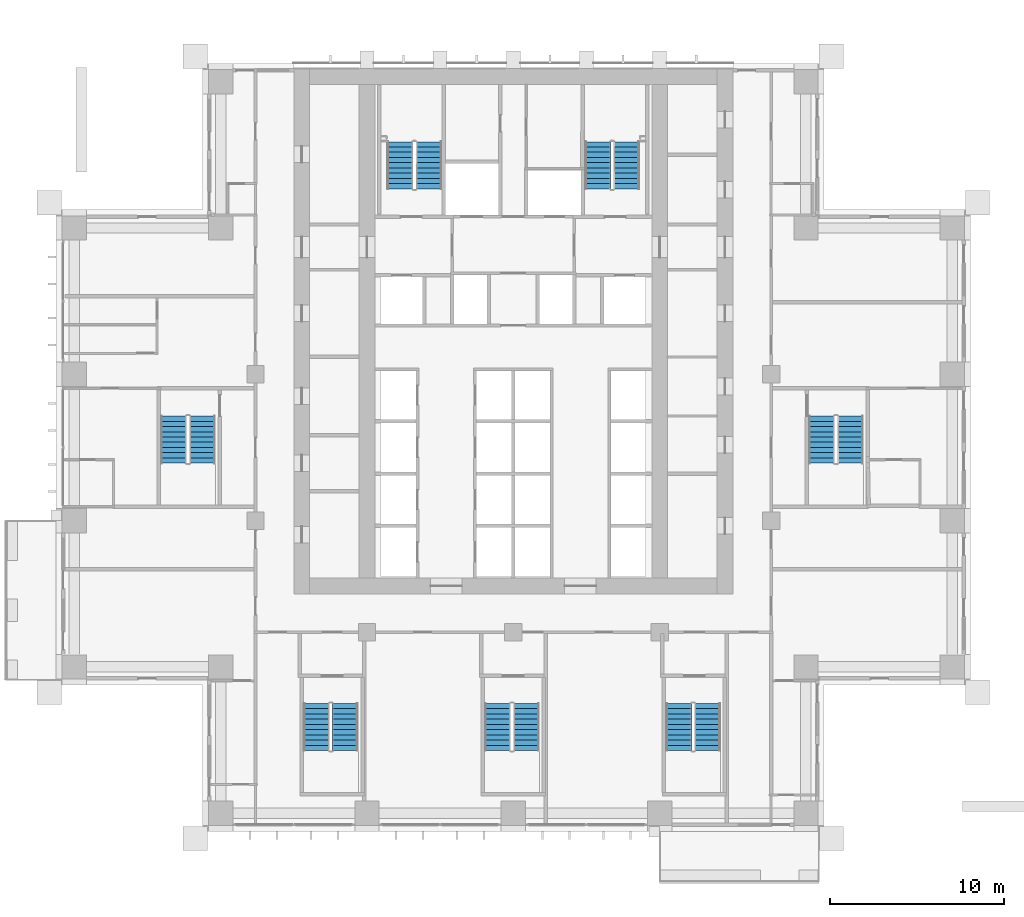
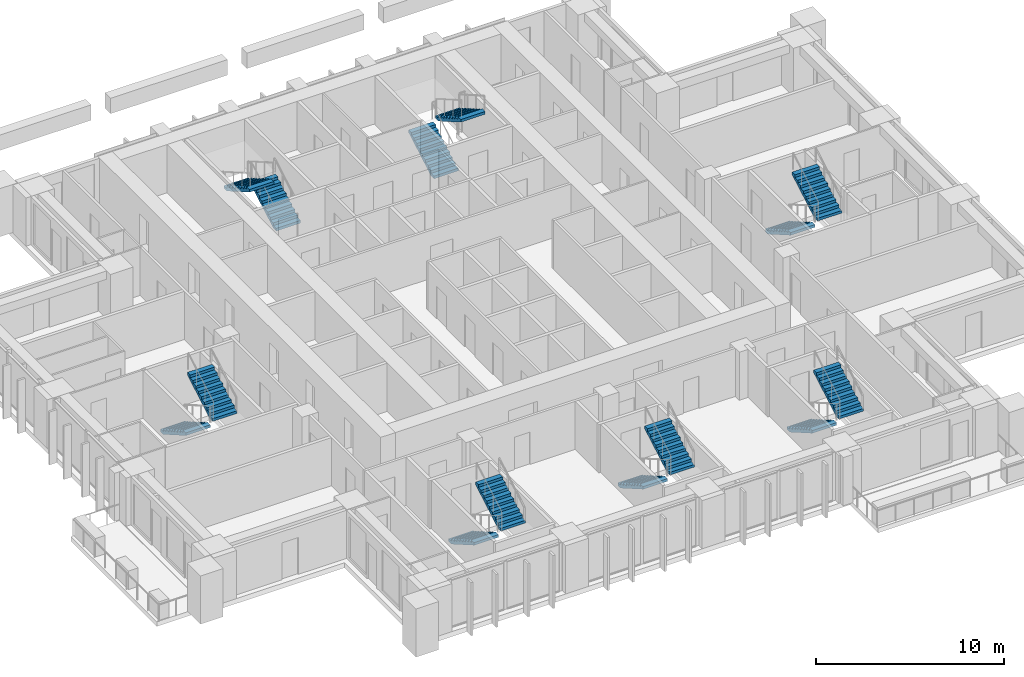
# One storey, part 14 of 18: 14 stair flights, 7 elements without a shape of their own.
"""IFC4 building model written with IfcOpenShell, lengths in metres."""

from ifc_helpers import new_model, si_unit, direction, frame, origin, place, context, subcontext, project, spatial, polyline, outline, extrude, material, type_object, element, aggregate, save


model = new_model("IFC4")

# Units and contexts
model_context = context("Model", 3, precision=1e-05, world=origin(), true_north=direction((0.0, 1.0)))
body_context = subcontext(model_context, "Body", "Model", "MODEL_VIEW")
ifc_project = project(units=[si_unit("LENGTHUNIT", "METRE"), si_unit("AREAUNIT", "SQUARE_METRE"), si_unit("VOLUMEUNIT", "CUBIC_METRE"), si_unit("PLANEANGLEUNIT", "RADIAN"), si_unit("MASSUNIT", "GRAM", prefix="KILO")], contexts=[model_context])

# Site, building, storey
site_placement = place(None, origin())
site = spatial("IfcSite", under=ifc_project, at=site_placement, CompositionType="ELEMENT")
building_placement = place(site_placement, origin())
building = spatial("IfcBuilding", under=site, at=building_placement, Name="Vermilion Ogive Tower", CompositionType="ELEMENT")
storey_placement = place(building_placement, frame((0.0, 0.0, 34.5)))
storey = spatial("IfcBuildingStorey", under=building, at=storey_placement, Name="L06", CompositionType="ELEMENT", Elevation=34.5)

# Stair, stair flights
ifc_material_1 = material(Name="Concrete B40", Category="concrete")
stair_type = type_object("IfcStairType", Name="Exit stair 1500", PredefinedType="HALF_TURN_STAIR", material=ifc_material_1)
stair_1_placement = place(storey_placement, origin())
stair_1 = element("IfcStair", 1, at=stair_1_placement, inside=storey, type_object=stair_type, Name="L06 Exit Stair ST1", PredefinedType="HALF_TURN_STAIR")
ifc_material_2 = material(Name="Concrete B40", Category="concrete")
stair_flight_type = type_object("IfcStairFlightType", Name="Stair flight 1500", PredefinedType="STRAIGHT", material=ifc_material_2)
stair_flight_1_placement = place(storey_placement, frame((-4.85009765625, 14.85009765625, 0.0), z_axis=(0.0, 0.0, 1.0), x_axis=(0.0, 1.0, 0.0)))
stair_flight_1 = element("IfcStairFlight", 2, at=stair_flight_1_placement, type_object=stair_flight_type, Name="ST1 flight 1", NumberOfRisers=10, NumberOfTreads=9, PredefinedType="STRAIGHT", RiserHeight=0.1725, TreadLength=0.3, context=body_context, shape_type="SweptSolid", body=[
    extrude(outline(polyline([(0.0, 0.0), (0.0, 0.172607421875), (0.300048828125, 0.172607421875), (0.300048828125, 0.344970703125), (0.60009765625, 0.344970703125), (0.60009765625, 0.517578125), (0.89990234375, 0.517578125), (0.89990234375, 0.68994140625), (1.199951171875, 0.68994140625), (1.199951171875, 0.862548828125), (1.5, 0.862548828125), (1.5, 1.034912109375), (1.800048828125, 1.034912109375), (1.800048828125, 1.20751953125), (2.10009765625, 1.20751953125), (2.10009765625, 1.3798828125), (2.39990234375, 1.3798828125), (2.39990234375, 1.552490234375), (2.699951171875, 1.552490234375), (2.699951171875, 1.72509765625), (2.699951171875, 1.379638671875), (0.30078125, 0.0), (0.0, 0.0)])), frame((0.0, 0.75, 0.0), z_axis=(0.0, -1.0, 0.0), x_axis=(1.0, 0.0, 0.0)), (0.0, 0.0, 1.0), 1.5),
])
stair_flight_2_placement = place(storey_placement, frame((-6.5, 17.550048828125, 1.72509765625), z_axis=(0.0, 0.0, 1.0), x_axis=(0.0, -1.0, 0.0)))
stair_flight_2 = element("IfcStairFlight", 3, at=stair_flight_2_placement, type_object=stair_flight_type, Name="ST1 flight 2", NumberOfRisers=10, NumberOfTreads=9, PredefinedType="STRAIGHT", RiserHeight=0.1725, TreadLength=0.3, context=body_context, shape_type="SweptSolid", body=[
    extrude(outline(polyline([(0.0, 0.0), (0.0, 0.172607421875), (0.300048828125, 0.172607421875), (0.300048828125, 0.344970703125), (0.60009765625, 0.344970703125), (0.60009765625, 0.517578125), (0.89990234375, 0.517578125), (0.89990234375, 0.68994140625), (1.199951171875, 0.68994140625), (1.199951171875, 0.862548828125), (1.5, 0.862548828125), (1.5, 1.034912109375), (1.800048828125, 1.034912109375), (1.800048828125, 1.20751953125), (2.10009765625, 1.20751953125), (2.10009765625, 1.3798828125), (2.39990234375, 1.3798828125), (2.39990234375, 1.552490234375), (2.699951171875, 1.552490234375), (2.699951171875, 1.72509765625), (2.699951171875, 1.379638671875), (0.30078125, 0.0), (0.0, 0.0)])), frame((0.0, 0.75, 0.0), z_axis=(0.0, -1.0, 0.0), x_axis=(1.0, 0.0, 0.0)), (0.0, 0.0, 1.0), 1.5),
])
aggregate(stair_1, [stair_flight_1, stair_flight_2])

stair_2_placement = place(storey_placement, origin())
stair_2 = element("IfcStair", 4, at=stair_2_placement, inside=storey, type_object=stair_type, Name="L06 Exit Stair ST2", PredefinedType="HALF_TURN_STAIR")
stair_flight_3_placement = place(storey_placement, frame((4.85009765625, 14.85009765625, 0.0), z_axis=(0.0, 0.0, 1.0), x_axis=(0.0, 1.0, 0.0)))
stair_flight_3 = element("IfcStairFlight", 5, at=stair_flight_3_placement, type_object=stair_flight_type, Name="ST2 flight 1", NumberOfRisers=10, NumberOfTreads=9, PredefinedType="STRAIGHT", RiserHeight=0.1725, TreadLength=0.3, context=body_context, shape_type="SweptSolid", body=[
    extrude(outline(polyline([(0.0, 0.0), (0.0, 0.172607421875), (0.300048828125, 0.172607421875), (0.300048828125, 0.344970703125), (0.60009765625, 0.344970703125), (0.60009765625, 0.517578125), (0.89990234375, 0.517578125), (0.89990234375, 0.68994140625), (1.199951171875, 0.68994140625), (1.199951171875, 0.862548828125), (1.5, 0.862548828125), (1.5, 1.034912109375), (1.800048828125, 1.034912109375), (1.800048828125, 1.20751953125), (2.10009765625, 1.20751953125), (2.10009765625, 1.3798828125), (2.39990234375, 1.3798828125), (2.39990234375, 1.552490234375), (2.699951171875, 1.552490234375), (2.699951171875, 1.72509765625), (2.699951171875, 1.379638671875), (0.30078125, 0.0), (0.0, 0.0)])), frame((0.0, 0.75, 0.0), z_axis=(0.0, -1.0, 0.0), x_axis=(1.0, 0.0, 0.0)), (0.0, 0.0, 1.0), 1.5),
])
stair_flight_4_placement = place(storey_placement, frame((6.5, 17.550048828125, 1.72509765625), z_axis=(0.0, 0.0, 1.0), x_axis=(0.0, -1.0, 0.0)))
stair_flight_4 = element("IfcStairFlight", 6, at=stair_flight_4_placement, type_object=stair_flight_type, Name="ST2 flight 2", NumberOfRisers=10, NumberOfTreads=9, PredefinedType="STRAIGHT", RiserHeight=0.1725, TreadLength=0.3, context=body_context, shape_type="SweptSolid", body=[
    extrude(outline(polyline([(0.0, 0.0), (0.0, 0.172607421875), (0.300048828125, 0.172607421875), (0.300048828125, 0.344970703125), (0.60009765625, 0.344970703125), (0.60009765625, 0.517578125), (0.89990234375, 0.517578125), (0.89990234375, 0.68994140625), (1.199951171875, 0.68994140625), (1.199951171875, 0.862548828125), (1.5, 0.862548828125), (1.5, 1.034912109375), (1.800048828125, 1.034912109375), (1.800048828125, 1.20751953125), (2.10009765625, 1.20751953125), (2.10009765625, 1.3798828125), (2.39990234375, 1.3798828125), (2.39990234375, 1.552490234375), (2.699951171875, 1.552490234375), (2.699951171875, 1.72509765625), (2.699951171875, 1.379638671875), (0.30078125, 0.0), (0.0, 0.0)])), frame((0.0, 0.75, 0.0), z_axis=(0.0, -1.0, 0.0), x_axis=(1.0, 0.0, 0.0)), (0.0, 0.0, 1.0), 1.5),
])
aggregate(stair_2, [stair_flight_3, stair_flight_4])

stair_3_placement = place(storey_placement, origin())
stair_3 = element("IfcStair", 7, at=stair_3_placement, inside=storey, type_object=stair_type, Name="L06 Exit Stair ST3", PredefinedType="HALF_TURN_STAIR")
stair_flight_5_placement = place(storey_placement, frame((-11.300048828125, -14.699951171875, 0.0), z_axis=(0.0, 0.0, 1.0), x_axis=(0.0, -1.0, 0.0)))
stair_flight_5 = element("IfcStairFlight", 8, at=stair_flight_5_placement, type_object=stair_flight_type, Name="ST3 flight 1", NumberOfRisers=10, NumberOfTreads=9, PredefinedType="STRAIGHT", RiserHeight=0.1725, TreadLength=0.3, context=body_context, shape_type="SweptSolid", body=[
    extrude(outline(polyline([(0.0, 0.0), (0.0, 0.172607421875), (0.300048828125, 0.172607421875), (0.300048828125, 0.344970703125), (0.60009765625, 0.344970703125), (0.60009765625, 0.517578125), (0.89990234375, 0.517578125), (0.89990234375, 0.68994140625), (1.199951171875, 0.68994140625), (1.199951171875, 0.862548828125), (1.5, 0.862548828125), (1.5, 1.034912109375), (1.800048828125, 1.034912109375), (1.800048828125, 1.20751953125), (2.10009765625, 1.20751953125), (2.10009765625, 1.3798828125), (2.39990234375, 1.3798828125), (2.39990234375, 1.552490234375), (2.699951171875, 1.552490234375), (2.699951171875, 1.72509765625), (2.699951171875, 1.379638671875), (0.30078125, 0.0), (0.0, 0.0)])), frame((0.0, 0.75, 0.0), z_axis=(0.0, -1.0, 0.0), x_axis=(1.0, 0.0, 0.0)), (0.0, 0.0, 1.0), 1.5),
])
stair_flight_6_placement = place(storey_placement, frame((-9.64990234375, -17.39990234375, 1.72509765625), z_axis=(0.0, 0.0, 1.0), x_axis=(0.0, 1.0, 0.0)))
stair_flight_6 = element("IfcStairFlight", 9, at=stair_flight_6_placement, type_object=stair_flight_type, Name="ST3 flight 2", NumberOfRisers=10, NumberOfTreads=9, PredefinedType="STRAIGHT", RiserHeight=0.1725, TreadLength=0.3, context=body_context, shape_type="SweptSolid", body=[
    extrude(outline(polyline([(0.0, 0.0), (0.0, 0.172607421875), (0.300048828125, 0.172607421875), (0.300048828125, 0.344970703125), (0.60009765625, 0.344970703125), (0.60009765625, 0.517578125), (0.89990234375, 0.517578125), (0.89990234375, 0.68994140625), (1.199951171875, 0.68994140625), (1.199951171875, 0.862548828125), (1.5, 0.862548828125), (1.5, 1.034912109375), (1.800048828125, 1.034912109375), (1.800048828125, 1.20751953125), (2.10009765625, 1.20751953125), (2.10009765625, 1.3798828125), (2.39990234375, 1.3798828125), (2.39990234375, 1.552490234375), (2.699951171875, 1.552490234375), (2.699951171875, 1.72509765625), (2.699951171875, 1.379638671875), (0.30078125, 0.0), (0.0, 0.0)])), frame((0.0, 0.75, 0.0), z_axis=(0.0, -1.0, 0.0), x_axis=(1.0, 0.0, 0.0)), (0.0, 0.0, 1.0), 1.5),
])
aggregate(stair_3, [stair_flight_5, stair_flight_6])

stair_4_placement = place(storey_placement, origin())
stair_4 = element("IfcStair", 10, at=stair_4_placement, inside=storey, type_object=stair_type, Name="L06 Exit Stair ST4", PredefinedType="HALF_TURN_STAIR")
stair_flight_7_placement = place(storey_placement, frame((-0.89990234375, -14.699951171875, 0.0), z_axis=(0.0, 0.0, 1.0), x_axis=(0.0, -1.0, 0.0)))
stair_flight_7 = element("IfcStairFlight", 11, at=stair_flight_7_placement, type_object=stair_flight_type, Name="ST4 flight 1", NumberOfRisers=10, NumberOfTreads=9, PredefinedType="STRAIGHT", RiserHeight=0.1725, TreadLength=0.3, context=body_context, shape_type="SweptSolid", body=[
    extrude(outline(polyline([(0.0, 0.0), (0.0, 0.172607421875), (0.300048828125, 0.172607421875), (0.300048828125, 0.344970703125), (0.60009765625, 0.344970703125), (0.60009765625, 0.517578125), (0.89990234375, 0.517578125), (0.89990234375, 0.68994140625), (1.199951171875, 0.68994140625), (1.199951171875, 0.862548828125), (1.5, 0.862548828125), (1.5, 1.034912109375), (1.800048828125, 1.034912109375), (1.800048828125, 1.20751953125), (2.10009765625, 1.20751953125), (2.10009765625, 1.3798828125), (2.39990234375, 1.3798828125), (2.39990234375, 1.552490234375), (2.699951171875, 1.552490234375), (2.699951171875, 1.72509765625), (2.699951171875, 1.379638671875), (0.30078125, 0.0), (0.0, 0.0)])), frame((0.0, 0.75, 0.0), z_axis=(0.0, -1.0, 0.0), x_axis=(1.0, 0.0, 0.0)), (0.0, 0.0, 1.0), 1.5),
])
stair_flight_8_placement = place(storey_placement, frame((0.75, -17.39990234375, 1.72509765625), z_axis=(0.0, 0.0, 1.0), x_axis=(0.0, 1.0, 0.0)))
stair_flight_8 = element("IfcStairFlight", 12, at=stair_flight_8_placement, type_object=stair_flight_type, Name="ST4 flight 2", NumberOfRisers=10, NumberOfTreads=9, PredefinedType="STRAIGHT", RiserHeight=0.1725, TreadLength=0.3, context=body_context, shape_type="SweptSolid", body=[
    extrude(outline(polyline([(0.0, 0.0), (0.0, 0.172607421875), (0.300048828125, 0.172607421875), (0.300048828125, 0.344970703125), (0.60009765625, 0.344970703125), (0.60009765625, 0.517578125), (0.89990234375, 0.517578125), (0.89990234375, 0.68994140625), (1.199951171875, 0.68994140625), (1.199951171875, 0.862548828125), (1.5, 0.862548828125), (1.5, 1.034912109375), (1.800048828125, 1.034912109375), (1.800048828125, 1.20751953125), (2.10009765625, 1.20751953125), (2.10009765625, 1.3798828125), (2.39990234375, 1.3798828125), (2.39990234375, 1.552490234375), (2.699951171875, 1.552490234375), (2.699951171875, 1.72509765625), (2.699951171875, 1.379638671875), (0.30078125, 0.0), (0.0, 0.0)])), frame((0.0, 0.75, 0.0), z_axis=(0.0, -1.0, 0.0), x_axis=(1.0, 0.0, 0.0)), (0.0, 0.0, 1.0), 1.5),
])
aggregate(stair_4, [stair_flight_7, stair_flight_8])

stair_5_placement = place(storey_placement, origin())
stair_5 = element("IfcStair", 13, at=stair_5_placement, inside=storey, type_object=stair_type, Name="L06 Exit Stair ST5", PredefinedType="HALF_TURN_STAIR")
stair_flight_9_placement = place(storey_placement, frame((9.5, -14.699951171875, 0.0), z_axis=(0.0, 0.0, 1.0), x_axis=(0.0, -1.0, 0.0)))
stair_flight_9 = element("IfcStairFlight", 14, at=stair_flight_9_placement, type_object=stair_flight_type, Name="ST5 flight 1", NumberOfRisers=10, NumberOfTreads=9, PredefinedType="STRAIGHT", RiserHeight=0.1725, TreadLength=0.3, context=body_context, shape_type="SweptSolid", body=[
    extrude(outline(polyline([(0.0, 0.0), (0.0, 0.172607421875), (0.300048828125, 0.172607421875), (0.300048828125, 0.344970703125), (0.60009765625, 0.344970703125), (0.60009765625, 0.517578125), (0.89990234375, 0.517578125), (0.89990234375, 0.68994140625), (1.199951171875, 0.68994140625), (1.199951171875, 0.862548828125), (1.5, 0.862548828125), (1.5, 1.034912109375), (1.800048828125, 1.034912109375), (1.800048828125, 1.20751953125), (2.10009765625, 1.20751953125), (2.10009765625, 1.3798828125), (2.39990234375, 1.3798828125), (2.39990234375, 1.552490234375), (2.699951171875, 1.552490234375), (2.699951171875, 1.72509765625), (2.699951171875, 1.379638671875), (0.30078125, 0.0), (0.0, 0.0)])), frame((0.0, 0.75, 0.0), z_axis=(0.0, -1.0, 0.0), x_axis=(1.0, 0.0, 0.0)), (0.0, 0.0, 1.0), 1.5),
])
stair_flight_10_placement = place(storey_placement, frame((11.14990234375, -17.39990234375, 1.72509765625), z_axis=(0.0, 0.0, 1.0), x_axis=(0.0, 1.0, 0.0)))
stair_flight_10 = element("IfcStairFlight", 15, at=stair_flight_10_placement, type_object=stair_flight_type, Name="ST5 flight 2", NumberOfRisers=10, NumberOfTreads=9, PredefinedType="STRAIGHT", RiserHeight=0.1725, TreadLength=0.3, context=body_context, shape_type="SweptSolid", body=[
    extrude(outline(polyline([(0.0, 0.0), (0.0, 0.172607421875), (0.300048828125, 0.172607421875), (0.300048828125, 0.344970703125), (0.60009765625, 0.344970703125), (0.60009765625, 0.517578125), (0.89990234375, 0.517578125), (0.89990234375, 0.68994140625), (1.199951171875, 0.68994140625), (1.199951171875, 0.862548828125), (1.5, 0.862548828125), (1.5, 1.034912109375), (1.800048828125, 1.034912109375), (1.800048828125, 1.20751953125), (2.10009765625, 1.20751953125), (2.10009765625, 1.3798828125), (2.39990234375, 1.3798828125), (2.39990234375, 1.552490234375), (2.699951171875, 1.552490234375), (2.699951171875, 1.72509765625), (2.699951171875, 1.379638671875), (0.30078125, 0.0), (0.0, 0.0)])), frame((0.0, 0.75, 0.0), z_axis=(0.0, -1.0, 0.0), x_axis=(1.0, 0.0, 0.0)), (0.0, 0.0, 1.0), 1.5),
])
aggregate(stair_5, [stair_flight_9, stair_flight_10])

stair_6_placement = place(storey_placement, origin())
stair_6 = element("IfcStair", 16, at=stair_6_placement, inside=storey, type_object=stair_type, Name="L06 Exit Stair ST8", PredefinedType="HALF_TURN_STAIR")
stair_flight_11_placement = place(storey_placement, frame((17.699951171875, 1.800048828125, 0.0), z_axis=(0.0, 0.0, 1.0), x_axis=(0.0, -1.0, 0.0)))
stair_flight_11 = element("IfcStairFlight", 17, at=stair_flight_11_placement, type_object=stair_flight_type, Name="ST8 flight 1", NumberOfRisers=10, NumberOfTreads=9, PredefinedType="STRAIGHT", RiserHeight=0.1725, TreadLength=0.3, context=body_context, shape_type="SweptSolid", body=[
    extrude(outline(polyline([(0.0, 0.0), (0.0, 0.172607421875), (0.300048828125, 0.172607421875), (0.300048828125, 0.344970703125), (0.60009765625, 0.344970703125), (0.60009765625, 0.517578125), (0.89990234375, 0.517578125), (0.89990234375, 0.68994140625), (1.199951171875, 0.68994140625), (1.199951171875, 0.862548828125), (1.5, 0.862548828125), (1.5, 1.034912109375), (1.800048828125, 1.034912109375), (1.800048828125, 1.20751953125), (2.10009765625, 1.20751953125), (2.10009765625, 1.3798828125), (2.39990234375, 1.3798828125), (2.39990234375, 1.552490234375), (2.699951171875, 1.552490234375), (2.699951171875, 1.72509765625), (2.699951171875, 1.379638671875), (0.30078125, 0.0), (0.0, 0.0)])), frame((0.0, 0.75, 0.0), z_axis=(0.0, -1.0, 0.0), x_axis=(1.0, 0.0, 0.0)), (0.0, 0.0, 1.0), 1.5),
])
stair_flight_12_placement = place(storey_placement, frame((19.35009765625, -0.89990234375, 1.72509765625), z_axis=(0.0, 0.0, 1.0), x_axis=(0.0, 1.0, 0.0)))
stair_flight_12 = element("IfcStairFlight", 18, at=stair_flight_12_placement, type_object=stair_flight_type, Name="ST8 flight 2", NumberOfRisers=10, NumberOfTreads=9, PredefinedType="STRAIGHT", RiserHeight=0.1725, TreadLength=0.3, context=body_context, shape_type="SweptSolid", body=[
    extrude(outline(polyline([(0.0, 0.0), (0.0, 0.172607421875), (0.300048828125, 0.172607421875), (0.300048828125, 0.344970703125), (0.60009765625, 0.344970703125), (0.60009765625, 0.517578125), (0.89990234375, 0.517578125), (0.89990234375, 0.68994140625), (1.199951171875, 0.68994140625), (1.199951171875, 0.862548828125), (1.5, 0.862548828125), (1.5, 1.034912109375), (1.800048828125, 1.034912109375), (1.800048828125, 1.20751953125), (2.10009765625, 1.20751953125), (2.10009765625, 1.3798828125), (2.39990234375, 1.3798828125), (2.39990234375, 1.552490234375), (2.699951171875, 1.552490234375), (2.699951171875, 1.72509765625), (2.699951171875, 1.379638671875), (0.30078125, 0.0), (0.0, 0.0)])), frame((0.0, 0.75, 0.0), z_axis=(0.0, -1.0, 0.0), x_axis=(1.0, 0.0, 0.0)), (0.0, 0.0, 1.0), 1.5),
])
aggregate(stair_6, [stair_flight_11, stair_flight_12])

stair_7_placement = place(storey_placement, origin())
stair_7 = element("IfcStair", 19, at=stair_7_placement, inside=storey, type_object=stair_type, Name="L06 Exit Stair ST9", PredefinedType="HALF_TURN_STAIR")
stair_flight_13_placement = place(storey_placement, frame((-19.5, 1.800048828125, 0.0), z_axis=(0.0, 0.0, 1.0), x_axis=(0.0, -1.0, 0.0)))
stair_flight_13 = element("IfcStairFlight", 20, at=stair_flight_13_placement, type_object=stair_flight_type, Name="ST9 flight 1", NumberOfRisers=10, NumberOfTreads=9, PredefinedType="STRAIGHT", RiserHeight=0.1725, TreadLength=0.3, context=body_context, shape_type="SweptSolid", body=[
    extrude(outline(polyline([(0.0, 0.0), (0.0, 0.172607421875), (0.300048828125, 0.172607421875), (0.300048828125, 0.344970703125), (0.60009765625, 0.344970703125), (0.60009765625, 0.517578125), (0.89990234375, 0.517578125), (0.89990234375, 0.68994140625), (1.199951171875, 0.68994140625), (1.199951171875, 0.862548828125), (1.5, 0.862548828125), (1.5, 1.034912109375), (1.800048828125, 1.034912109375), (1.800048828125, 1.20751953125), (2.10009765625, 1.20751953125), (2.10009765625, 1.3798828125), (2.39990234375, 1.3798828125), (2.39990234375, 1.552490234375), (2.699951171875, 1.552490234375), (2.699951171875, 1.72509765625), (2.699951171875, 1.379638671875), (0.30078125, 0.0), (0.0, 0.0)])), frame((0.0, 0.75, 0.0), z_axis=(0.0, -1.0, 0.0), x_axis=(1.0, 0.0, 0.0)), (0.0, 0.0, 1.0), 1.5),
])
stair_flight_14_placement = place(storey_placement, frame((-17.85009765625, -0.89990234375, 1.72509765625), z_axis=(0.0, 0.0, 1.0), x_axis=(0.0, 1.0, 0.0)))
stair_flight_14 = element("IfcStairFlight", 21, at=stair_flight_14_placement, type_object=stair_flight_type, Name="ST9 flight 2", NumberOfRisers=10, NumberOfTreads=9, PredefinedType="STRAIGHT", RiserHeight=0.1725, TreadLength=0.3, context=body_context, shape_type="SweptSolid", body=[
    extrude(outline(polyline([(0.0, 0.0), (0.0, 0.172607421875), (0.300048828125, 0.172607421875), (0.300048828125, 0.344970703125), (0.60009765625, 0.344970703125), (0.60009765625, 0.517578125), (0.89990234375, 0.517578125), (0.89990234375, 0.68994140625), (1.199951171875, 0.68994140625), (1.199951171875, 0.862548828125), (1.5, 0.862548828125), (1.5, 1.034912109375), (1.800048828125, 1.034912109375), (1.800048828125, 1.20751953125), (2.10009765625, 1.20751953125), (2.10009765625, 1.3798828125), (2.39990234375, 1.3798828125), (2.39990234375, 1.552490234375), (2.699951171875, 1.552490234375), (2.699951171875, 1.72509765625), (2.699951171875, 1.379638671875), (0.30078125, 0.0), (0.0, 0.0)])), frame((0.0, 0.75, 0.0), z_axis=(0.0, -1.0, 0.0), x_axis=(1.0, 0.0, 0.0)), (0.0, 0.0, 1.0), 1.5),
])
aggregate(stair_7, [stair_flight_13, stair_flight_14])

save(model, "model.ifc")
